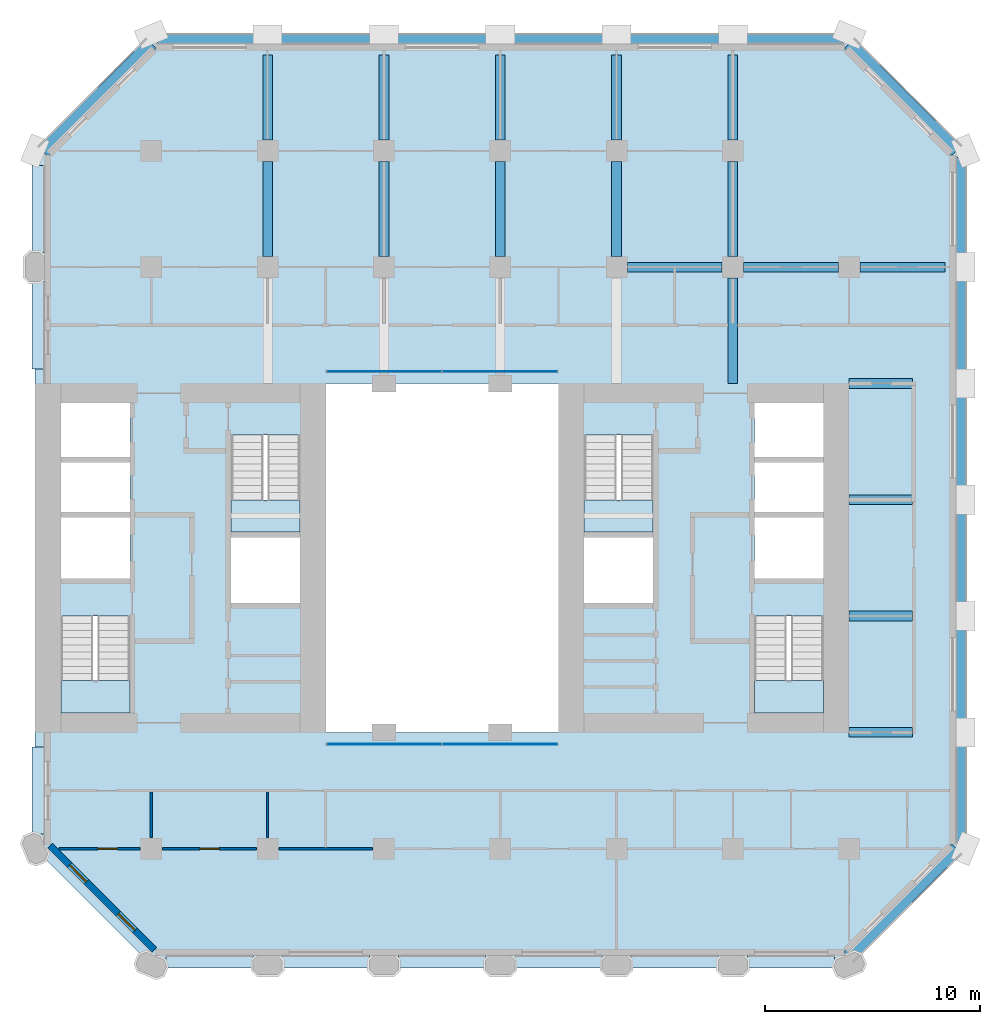
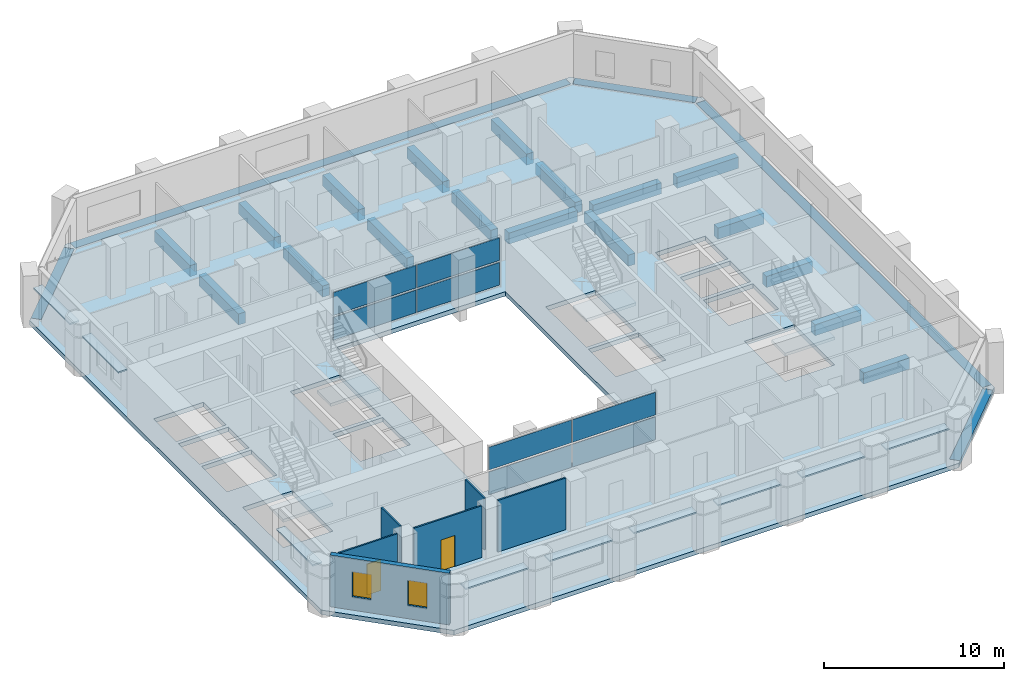
# One storey, part 3 of 11: 23 beams, 17 plates, 6 walls, 5 slabs, 2 doors, 2 windows, 4 openings, 6 elements without a shape of their own.
"""IFC4 building model written with IfcOpenShell, lengths in metres."""

import ifcopenshell
import ifcopenshell.guid

model = None  # the IFC model being written
_history = None  # IfcOwnerHistory: only IFC2X3 demands one
_inside = {}  # id of a spatial element -> (the spatial element, [elements in it])
_under = {}  # id of a project, library or spatial element -> (it, [spatial elements below it])
_declared = {}  # id of a project -> (the project, [libraries it declares])
_typed = {}  # id of a type object -> (the type object, [elements of that type])
_made_of = {}  # id of a material, layer set ... -> (it, [elements and type objects made of it])


def new_model(schema):
    """Start an empty IFC model of exactly this schema.

    Asked for "IFC4X3", IfcOpenShell would pick the latest addendum, in which some entities
    have other attributes; the version numbers below select the first issue.
    IFC2X3 requires an IfcOwnerHistory on every rooted entity: one is made here for all.
    """
    global model, _history
    if schema == "IFC4X3":
        model = ifcopenshell.file(schema_version=(4, 3, 0, 0))
    else:
        model = ifcopenshell.file(schema=schema)
    _inside.clear()
    _under.clear()
    _declared.clear()
    _typed.clear()
    _made_of.clear()
    _history = None
    if model.schema == "IFC2X3":
        org = make("IfcOrganization", Name="unknown")
        user = make(
            "IfcPersonAndOrganization",
            ThePerson=make("IfcPerson", FamilyName="unknown"),
            TheOrganization=org,
        )
        app = make(
            "IfcApplication",
            ApplicationDeveloper=org,
            Version="unknown",
            ApplicationFullName="unknown",
            ApplicationIdentifier="unknown",
        )
        _history = make(
            "IfcOwnerHistory",
            OwningUser=user,
            OwningApplication=app,
            ChangeAction="ADDED",
            CreationDate=0,
        )
    return model


def make(cls, **values):
    """One entity of the class cls with the attributes given. An attribute that is None is left unset."""
    return model.create_entity(
        cls, **{name: value for name, value in values.items() if value is not None}
    )


def rooted(cls, **values):
    """An entity with a GlobalId (a new one), such as an element, a storey or a relation."""
    return make(cls, GlobalId=ifcopenshell.guid.new(), OwnerHistory=_history, **values)


def si_unit(unit_type, name, prefix=None):
    """IfcSIUnit, for example si_unit("LENGTHUNIT", "METRE", prefix="MILLI")."""
    return make("IfcSIUnit", UnitType=unit_type, Prefix=prefix, Name=name)


def assignment(units):
    """IfcUnitAssignment: the units of a project."""
    return None if units is None else make("IfcUnitAssignment", Units=units)


def point(xyz):
    """IfcCartesianPoint."""
    return None if xyz is None else make("IfcCartesianPoint", Coordinates=xyz)


def direction(xyz):
    """IfcDirection."""
    return None if xyz is None else make("IfcDirection", DirectionRatios=xyz)


def frame(location, z_axis=None, x_axis=None):
    """IfcAxis2Placement3D, a coordinate frame: its origin and axes. An axis left out is left unset."""
    return make(
        "IfcAxis2Placement3D",
        Location=point(location),
        Axis=direction(z_axis),
        RefDirection=direction(x_axis),
    )


def frame_2d(location, x_axis=None):
    """IfcAxis2Placement2D, a coordinate frame in the plane: its origin and x axis."""
    return make(
        "IfcAxis2Placement2D", Location=point(location), RefDirection=direction(x_axis)
    )


def origin():
    """The frame at (0, 0, 0) with its axes left unset."""
    return frame((0.0, 0.0, 0.0))


def origin_2d():
    """The frame at (0, 0) in the plane with its x axis left unset."""
    return frame_2d((0.0, 0.0))


def place(relative_to, where):
    """IfcLocalPlacement: puts the frame where relative to a parent placement (None: the world)."""
    return make(
        "IfcLocalPlacement", PlacementRelTo=relative_to, RelativePlacement=where
    )


def context(
    kind, dimensions, precision=None, world=None, true_north=None, identifier=None
):
    """IfcGeometricRepresentationContext, for example the 3D "Model" context."""
    return make(
        "IfcGeometricRepresentationContext",
        ContextIdentifier=identifier,
        ContextType=kind,
        CoordinateSpaceDimension=dimensions,
        Precision=precision,
        WorldCoordinateSystem=world,
        TrueNorth=true_north,
    )


def subcontext(parent, identifier, kind, view, scale=None):
    """IfcGeometricRepresentationSubContext, for example "Body" below "Model"."""
    return make(
        "IfcGeometricRepresentationSubContext",
        ContextIdentifier=identifier,
        ContextType=kind,
        ParentContext=parent,
        TargetScale=scale,
        TargetView=view,
    )


def project(units=None, contexts=None):
    """IfcProject with its units and contexts."""
    return rooted(
        "IfcProject",
        Name="project",
        RepresentationContexts=contexts,
        UnitsInContext=assignment(units),
    )


def spatial(cls, under=None, at=None, **own):
    """A site, building, storey or space (cls), placed at a placement, below another one or the project."""
    s = rooted(cls, ObjectPlacement=at, **own)
    if under is not None:
        _under.setdefault(under.id(), (under, []))[1].append(s)
    return s


def polyline(points):
    """IfcPolyline through the points."""
    return make("IfcPolyline", Points=[point(p) for p in points])


def profile(cls, at=None, kind="AREA", **sizes):
    """A parametric profile (cls). Its sizes go by their IFC names, for example OverallWidth=200.0."""
    return make(cls, ProfileType=kind, Position=at, **sizes)


def rectangle(**sizes):
    """IfcRectangleProfileDef."""
    return profile("IfcRectangleProfileDef", **sizes)


def outline(outer, holes=None, kind="AREA"):
    """IfcArbitraryClosedProfileDef: a profile drawn as a closed curve; with holes, ...WithVoids."""
    if holes is None:
        return make("IfcArbitraryClosedProfileDef", ProfileType=kind, OuterCurve=outer)
    return make(
        "IfcArbitraryProfileDefWithVoids",
        ProfileType=kind,
        OuterCurve=outer,
        InnerCurves=holes,
    )


def extrude(swept, where, along, depth):
    """IfcExtrudedAreaSolid: the profile swept, set in the frame where, extruded along a direction by depth."""
    return make(
        "IfcExtrudedAreaSolid",
        SweptArea=swept,
        Position=where,
        ExtrudedDirection=direction(along),
        Depth=depth,
    )


def shape(context_of_items, identifier, shape_type, items):
    """IfcShapeRepresentation: the items that make up one representation, for example the "Body"."""
    return make(
        "IfcShapeRepresentation",
        ContextOfItems=context_of_items,
        RepresentationIdentifier=identifier,
        RepresentationType=shape_type,
        Items=items,
    )


def material(Name=None, Category=None):
    """IfcMaterial."""
    return make("IfcMaterial", Name=Name, Category=Category)


def layer(
    of_material, thickness, ventilated=None, Name=None, Category=None, Priority=None
):
    """IfcMaterialLayer: one layer of a wall or slab, of a material (None: an air gap)."""
    return make(
        "IfcMaterialLayer",
        Material=of_material,
        LayerThickness=thickness,
        IsVentilated=ventilated,
        Name=Name,
        Category=Category,
        Priority=Priority,
    )


def layer_set(layers, Name=None):
    """IfcMaterialLayerSet."""
    return make("IfcMaterialLayerSet", MaterialLayers=layers, LayerSetName=Name)


def material_profile(
    of_material, cross_section, Name=None, Category=None, Priority=None
):
    """IfcMaterialProfile: a cross section and its material."""
    return make(
        "IfcMaterialProfile",
        Name=Name,
        Material=of_material,
        Profile=cross_section,
        Priority=Priority,
        Category=Category,
    )


def profile_set(profiles, Name=None, composite=None):
    """IfcMaterialProfileSet."""
    return make(
        "IfcMaterialProfileSet",
        Name=Name,
        MaterialProfiles=profiles,
        CompositeProfile=composite,
    )


def made_of(thing, what):
    """Note that an element or type object is made of a material, layer set ...; save() writes the relation."""
    if what is not None:
        _made_of.setdefault(what.id(), (what, []))[1].append(thing)
    return thing


def type_object(cls, material=None, **own):
    """A type object (cls), such as IfcWallType, which elements share."""
    return made_of(rooted(cls, **own), material)


def element(
    cls,
    number,
    at=None,
    inside=None,
    cuts=None,
    type_object=None,
    material=None,
    context=None,
    identifier="Body",
    shape_type=None,
    held_by="IfcProductDefinitionShape",
    body=None,
    shapes=None,
    **own,
):
    """One element of the class cls, such as IfcWall. Its Tag is "e" and its number.

    at: its placement. inside: the storey or other place that contains it. cuts: it is an
    opening in that element (IfcRelVoidsElement). A single representation is given by context,
    identifier, shape_type and body (its items); several are given by shapes. held_by: the class
    of the entity that holds the representations. save() writes the other relations.
    """
    e = rooted(cls, Tag="e%d" % number, ObjectPlacement=at, **own)
    if body is not None:
        shapes = [shape(context, identifier, shape_type, body)]
    if shapes is not None:
        e.Representation = make(held_by, Representations=shapes)
    if inside is not None:
        _inside.setdefault(inside.id(), (inside, []))[1].append(e)
    if cuts is not None:
        rooted(
            "IfcRelVoidsElement", RelatingBuildingElement=cuts, RelatedOpeningElement=e
        )
    if type_object is not None:
        _typed.setdefault(type_object.id(), (type_object, []))[1].append(e)
    return made_of(e, material)


def fill(opening, filler):
    """IfcRelFillsElement: the door or window that sits in an opening."""
    return rooted(
        "IfcRelFillsElement",
        RelatingOpeningElement=opening,
        RelatedBuildingElement=filler,
    )


def aggregate(whole, parts):
    """IfcRelAggregates: a whole, such as a stair, and the parts it consists of."""
    return rooted("IfcRelAggregates", RelatingObject=whole, RelatedObjects=parts)


def save(model, path):
    """Write the relations noted so far, then the file.

    IfcRelAggregates (storeys below a building ...), IfcRelContainedInSpatialStructure (elements
    in a storey), IfcRelDefinesByType, IfcRelAssociatesMaterial and IfcRelDeclares: one each for
    every whole, place, type object, material and project.
    """
    for whole, parts in _under.values():
        aggregate(whole, parts)
    for where, things in _inside.values():
        rooted(
            "IfcRelContainedInSpatialStructure",
            RelatedElements=things,
            RelatingStructure=where,
        )
    for kind, things in _typed.values():
        rooted("IfcRelDefinesByType", RelatedObjects=things, RelatingType=kind)
    for what, things in _made_of.values():
        rooted("IfcRelAssociatesMaterial", RelatedObjects=things, RelatingMaterial=what)
    for by, libraries in _declared.values():
        rooted("IfcRelDeclares", RelatingContext=by, RelatedDefinitions=libraries)
    model.write(path)


model = new_model("IFC4")

# Units and contexts
model_context = context("Model", 3, precision=1e-05, world=origin(), true_north=direction((0.0, 1.0)))
body_context = subcontext(model_context, "Body", "Model", "MODEL_VIEW")
ifc_project = project(units=[si_unit("LENGTHUNIT", "METRE"), si_unit("AREAUNIT", "SQUARE_METRE"), si_unit("VOLUMEUNIT", "CUBIC_METRE"), si_unit("PLANEANGLEUNIT", "RADIAN"), si_unit("MASSUNIT", "GRAM", prefix="KILO")], contexts=[model_context])

# Site, building, storey
site_placement = place(None, origin())
site = spatial("IfcSite", under=ifc_project, at=site_placement, CompositionType="ELEMENT")
building_placement = place(site_placement, origin())
building = spatial("IfcBuilding", under=site, at=building_placement, Name="Tabaq Tower and Sports Hall", CompositionType="ELEMENT")
storey_placement = place(building_placement, frame((0.0, 0.0, 76.39990234375)))
storey = spatial("IfcBuildingStorey", under=building, at=storey_placement, Name="L17", CompositionType="ELEMENT", Elevation=76.39990234375)

# Beams
ifc_material_1 = material(Name="Concrete C40/50", Category="concrete")
ifc_material_profile_1 = material_profile(ifc_material_1, rectangle(XDim=0.449951171875, YDim=0.75, at=origin_2d()), Name="CB 450x750")
ifc_profile_set_1 = profile_set([ifc_material_profile_1], Name="Concrete C40/50")
beam_type_1 = type_object("IfcBeamType", Name="PT CANTILEVER BEAM CB 450x750 C40/50", PredefinedType="BEAM", material=ifc_profile_set_1)
for number, where, z_axis, x_axis, name in (
    (1, (46.14990234375, 16.199951171875, -0.6748046875), (-1.0, 0.0, 0.0), (0.0, -1.0, 0.0), "Cantilever Beam L17 E3 span 1"),
    (2, (46.14990234375, 21.60009765625, -0.6748046875), (-1.0, 0.0, 0.0), (0.0, -1.0, 0.0), "Cantilever Beam L17 E4 span 1"),
    (3, (46.14990234375, 27.0, -0.6748046875), (-1.0, 0.0, 0.0), (0.0, -1.0, 0.0), "Cantilever Beam L17 E5 span 1"),
    (4, (46.14990234375, 32.39990234375, -0.6748046875), (-1.0, 0.0, 0.0), (0.0, -1.0, 0.0), "Cantilever Beam L17 E6 span 1"),
):
    element("IfcBeam", number, at=place(storey_placement, frame(where, z_axis=z_axis, x_axis=x_axis)), inside=storey, type_object=beam_type_1, Name=name, PredefinedType="BEAM", context=body_context, shape_type="SweptSolid", body=[
        extrude(rectangle(XDim=0.449951171875, YDim=0.75, at=origin_2d()), origin(), (0.0, 0.0, 1.0), 2.949951171875),
    ])
beam_1_placement = place(storey_placement, frame((47.64990234375, 37.800048828125, -0.6748046875), z_axis=(-1.0, 0.0, 0.0), x_axis=(0.0, -1.0, 0.0)))
element("IfcBeam", 5, at=beam_1_placement, inside=storey, type_object=beam_type_1, Name="Cantilever Beam L17 E7 span 1", PredefinedType="BEAM", context=body_context, shape_type="SweptSolid", body=[
    extrude(rectangle(XDim=0.449951171875, YDim=0.75, at=origin_2d()), origin(), (0.0, 0.0, 1.0), 3.949951171875),
])
beam_2_placement = place(storey_placement, frame((42.699951171875, 37.800048828125, -0.6748046875), z_axis=(-1.0, 0.0, 0.0), x_axis=(0.0, -1.0, 0.0)))
element("IfcBeam", 6, at=beam_2_placement, inside=storey, type_object=beam_type_1, Name="Cantilever Beam L17 E7 span 2", PredefinedType="BEAM", context=body_context, shape_type="SweptSolid", body=[
    extrude(rectangle(XDim=0.449951171875, YDim=0.75, at=origin_2d()), origin(), (0.0, 0.0, 1.0), 4.39990234375),
])
beam_3_placement = place(storey_placement, frame((37.300048828125, 37.800048828125, -0.6748046875), z_axis=(-1.0, 0.0, 0.0), x_axis=(0.0, -1.0, 0.0)))
element("IfcBeam", 7, at=beam_3_placement, inside=storey, type_object=beam_type_1, Name="Cantilever Beam L17 E7 span 3", PredefinedType="BEAM", context=body_context, shape_type="SweptSolid", body=[
    extrude(rectangle(XDim=0.449951171875, YDim=0.75, at=origin_2d()), origin(), (0.0, 0.0, 1.0), 4.400146484375),
])
beam_4_placement = place(storey_placement, frame((16.199951171875, 47.64990234375, -0.6748046875), z_axis=(0.0, -1.0, 0.0), x_axis=(1.0, 0.0, 0.0)))
element("IfcBeam", 8, at=beam_4_placement, inside=storey, type_object=beam_type_1, Name="Cantilever Beam L17 N3 span 1", PredefinedType="BEAM", context=body_context, shape_type="SweptSolid", body=[
    extrude(rectangle(XDim=0.449951171875, YDim=0.75, at=origin_2d()), origin(), (0.0, 0.0, 1.0), 3.949951171875),
])
beam_5_placement = place(storey_placement, frame((16.199951171875, 42.699951171875, -0.6748046875), z_axis=(0.0, -1.0, 0.0), x_axis=(1.0, 0.0, 0.0)))
element("IfcBeam", 9, at=beam_5_placement, inside=storey, type_object=beam_type_1, Name="Cantilever Beam L17 N3 span 2", PredefinedType="BEAM", context=body_context, shape_type="SweptSolid", body=[
    extrude(rectangle(XDim=0.449951171875, YDim=0.75, at=origin_2d()), origin(), (0.0, 0.0, 1.0), 4.39990234375),
])
beam_6_placement = place(storey_placement, frame((21.60009765625, 47.64990234375, -0.6748046875), z_axis=(0.0, -1.0, 0.0), x_axis=(1.0, 0.0, 0.0)))
element("IfcBeam", 10, at=beam_6_placement, inside=storey, type_object=beam_type_1, Name="Cantilever Beam L17 N4 span 1", PredefinedType="BEAM", context=body_context, shape_type="SweptSolid", body=[
    extrude(rectangle(XDim=0.449951171875, YDim=0.75, at=origin_2d()), origin(), (0.0, 0.0, 1.0), 3.949951171875),
])
beam_7_placement = place(storey_placement, frame((21.60009765625, 42.699951171875, -0.6748046875), z_axis=(0.0, -1.0, 0.0), x_axis=(1.0, 0.0, 0.0)))
element("IfcBeam", 11, at=beam_7_placement, inside=storey, type_object=beam_type_1, Name="Cantilever Beam L17 N4 span 2", PredefinedType="BEAM", context=body_context, shape_type="SweptSolid", body=[
    extrude(rectangle(XDim=0.449951171875, YDim=0.75, at=origin_2d()), origin(), (0.0, 0.0, 1.0), 4.39990234375),
])
beam_8_placement = place(storey_placement, frame((27.0, 47.64990234375, -0.6748046875), z_axis=(0.0, -1.0, 0.0), x_axis=(1.0, 0.0, 0.0)))
element("IfcBeam", 12, at=beam_8_placement, inside=storey, type_object=beam_type_1, Name="Cantilever Beam L17 N5 span 1", PredefinedType="BEAM", context=body_context, shape_type="SweptSolid", body=[
    extrude(rectangle(XDim=0.449951171875, YDim=0.75, at=origin_2d()), origin(), (0.0, 0.0, 1.0), 3.949951171875),
])
beam_9_placement = place(storey_placement, frame((27.0, 42.699951171875, -0.6748046875), z_axis=(0.0, -1.0, 0.0), x_axis=(1.0, 0.0, 0.0)))
element("IfcBeam", 13, at=beam_9_placement, inside=storey, type_object=beam_type_1, Name="Cantilever Beam L17 N5 span 2", PredefinedType="BEAM", context=body_context, shape_type="SweptSolid", body=[
    extrude(rectangle(XDim=0.449951171875, YDim=0.75, at=origin_2d()), origin(), (0.0, 0.0, 1.0), 4.39990234375),
])
beam_10_placement = place(storey_placement, frame((32.39990234375, 47.64990234375, -0.6748046875), z_axis=(0.0, -1.0, 0.0), x_axis=(1.0, 0.0, 0.0)))
element("IfcBeam", 14, at=beam_10_placement, inside=storey, type_object=beam_type_1, Name="Cantilever Beam L17 N6 span 1", PredefinedType="BEAM", context=body_context, shape_type="SweptSolid", body=[
    extrude(rectangle(XDim=0.449951171875, YDim=0.75, at=origin_2d()), origin(), (0.0, 0.0, 1.0), 3.949951171875),
])
beam_11_placement = place(storey_placement, frame((32.39990234375, 42.699951171875, -0.6748046875), z_axis=(0.0, -1.0, 0.0), x_axis=(1.0, 0.0, 0.0)))
element("IfcBeam", 15, at=beam_11_placement, inside=storey, type_object=beam_type_1, Name="Cantilever Beam L17 N6 span 2", PredefinedType="BEAM", context=body_context, shape_type="SweptSolid", body=[
    extrude(rectangle(XDim=0.449951171875, YDim=0.75, at=origin_2d()), origin(), (0.0, 0.0, 1.0), 4.39990234375),
])
beam_12_placement = place(storey_placement, frame((37.800048828125, 47.64990234375, -0.6748046875), z_axis=(0.0, -1.0, 0.0), x_axis=(1.0, 0.0, 0.0)))
element("IfcBeam", 16, at=beam_12_placement, inside=storey, type_object=beam_type_1, Name="Cantilever Beam L17 N7 span 1", PredefinedType="BEAM", context=body_context, shape_type="SweptSolid", body=[
    extrude(rectangle(XDim=0.449951171875, YDim=0.75, at=origin_2d()), origin(), (0.0, 0.0, 1.0), 3.949951171875),
])
beam_13_placement = place(storey_placement, frame((37.800048828125, 42.699951171875, -0.6748046875), z_axis=(0.0, -1.0, 0.0), x_axis=(1.0, 0.0, 0.0)))
element("IfcBeam", 17, at=beam_13_placement, inside=storey, type_object=beam_type_1, Name="Cantilever Beam L17 N7 span 2", PredefinedType="BEAM", context=body_context, shape_type="SweptSolid", body=[
    extrude(rectangle(XDim=0.449951171875, YDim=0.75, at=origin_2d()), origin(), (0.0, 0.0, 1.0), 4.39990234375),
])
beam_14_placement = place(storey_placement, frame((37.800048828125, 37.300048828125, -0.6748046875), z_axis=(0.0, -1.0, 0.0), x_axis=(1.0, 0.0, 0.0)))
element("IfcBeam", 18, at=beam_14_placement, inside=storey, type_object=beam_type_1, Name="Cantilever Beam L17 N7 span 3", PredefinedType="BEAM", context=body_context, shape_type="SweptSolid", body=[
    extrude(rectangle(XDim=0.449951171875, YDim=0.75, at=origin_2d()), origin(), (0.0, 0.0, 1.0), 4.900146484375),
])
ifc_material_2 = material(Name="Concrete C40/50", Category="concrete")
ifc_material_profile_2 = material_profile(ifc_material_2, rectangle(XDim=0.60009765625, YDim=0.300048828125, at=origin_2d()), Name="EB 600x300")
ifc_profile_set_2 = profile_set([ifc_material_profile_2], Name="Concrete C40/50")
beam_type_2 = type_object("IfcBeamType", Name="PT EDGE BEAM EB 600x300 C40/50", PredefinedType="SPANDREL", material=ifc_profile_set_2)
beam_15_placement = place(storey_placement, frame((43.16455078125, 5.788818359375, -0.14990234375), z_axis=(0.707106781187, 0.707106781187, 0.0), x_axis=(-0.707106781187, 0.707106781187, 0.0)))
element("IfcBeam", 19, at=beam_15_placement, inside=storey, type_object=beam_type_2, Name="Edge Beam L17 1", PredefinedType="SPANDREL", context=body_context, shape_type="SweptSolid", body=[
    extrude(rectangle(XDim=0.60009765625, YDim=0.300048828125, at=origin_2d()), origin(), (0.0, 0.0, 1.0), 7.08837890625),
])
beam_16_placement = place(storey_placement, frame((48.300048828125, 11.0986328125, -0.14990234375), z_axis=(0.0, 1.0, 0.0), x_axis=(-1.0, 0.0, 0.0)))
element("IfcBeam", 20, at=beam_16_placement, inside=storey, type_object=beam_type_2, Name="Edge Beam L17 2", PredefinedType="SPANDREL", context=body_context, shape_type="SweptSolid", body=[
    extrude(rectangle(XDim=0.60009765625, YDim=0.300048828125, at=origin_2d()), origin(), (0.0, 0.0, 1.0), 31.802734375),
])
beam_17_placement = place(storey_placement, frame((48.1767578125, 43.198974609375, -0.14990234375), z_axis=(-0.707106781187, 0.707106781187, 0.0), x_axis=(-0.707106781187, -0.707106781187, 0.0)))
element("IfcBeam", 21, at=beam_17_placement, inside=storey, type_object=beam_type_2, Name="Edge Beam L17 3", PredefinedType="SPANDREL", context=body_context, shape_type="SweptSolid", body=[
    extrude(rectangle(XDim=0.60009765625, YDim=0.300048828125, at=origin_2d()), origin(), (0.0, 0.0, 1.0), 7.03955078125),
])
beam_18_placement = place(storey_placement, frame((42.9013671875, 48.300048828125, -0.14990234375), z_axis=(-1.0, 0.0, 0.0), x_axis=(0.0, -1.0, 0.0)))
element("IfcBeam", 22, at=beam_18_placement, inside=storey, type_object=beam_type_2, Name="Edge Beam L17 4", PredefinedType="SPANDREL", context=body_context, shape_type="SweptSolid", body=[
    extrude(rectangle(XDim=0.60009765625, YDim=0.300048828125, at=origin_2d()), origin(), (0.0, 0.0, 1.0), 31.802734375),
])
beam_19_placement = place(storey_placement, frame((10.801025390625, 48.1767578125, -0.14990234375), z_axis=(-0.707106781187, -0.707106781187, 0.0), x_axis=(0.707106781187, -0.707106781187, 0.0)))
element("IfcBeam", 23, at=beam_19_placement, inside=storey, type_object=beam_type_2, Name="Edge Beam L17 5", PredefinedType="SPANDREL", context=body_context, shape_type="SweptSolid", body=[
    extrude(rectangle(XDim=0.60009765625, YDim=0.300048828125, at=origin_2d()), origin(), (0.0, 0.0, 1.0), 7.08837890625),
])

# Curtain wall, plates
ifc_material_3 = material(Name="Aluminium alloy 6063-T6 framed glazing", Category="aluminium")
curtain_wall_type = type_object("IfcCurtainWallType", Name="CW1 curtain wall", PredefinedType="USERDEFINED", material=ifc_material_3)
curtain_wall_1_placement = place(storey_placement, origin())
curtain_wall_1 = element("IfcCurtainWall", 24, at=curtain_wall_1_placement, inside=storey, type_object=curtain_wall_type, Name="Atrium glazing L17 S", ObjectType="ATRIUM ENCLOSURE", PredefinedType="USERDEFINED")
ifc_material_4 = material(Name="Clear low-emissivity glass 28 mm", Category="glass")
ifc_layer_1 = layer(ifc_material_4, 0.028076171875)
ifc_layer_set_1 = layer_set([ifc_layer_1], Name="CW1 glass panel 28")
plate_type_1 = type_object("IfcPlateType", Name="CW1 glass panel 28", PredefinedType="CURTAIN_PANEL", material=ifc_layer_set_1)
plate_1_placement = place(storey_placement, frame((21.614990234375, 15.64990234375, 0.14013671875), z_axis=(0.0, 0.0, 1.0), x_axis=(1.0, 0.0, 0.0)))
plate_1 = element("IfcPlate", 25, at=plate_1_placement, type_object=plate_type_1, Name="CW1 panel 1.1", PredefinedType="CURTAIN_PANEL", context=body_context, shape_type="SweptSolid", body=[
    extrude(rectangle(XDim=5.31005859375, YDim=0.028076171875, at=origin_2d()), origin(), (0.0, 0.0, 1.0), 1.5400390625),
])
plate_2_placement = place(storey_placement, frame((21.614990234375, 15.64990234375, 1.820068359375), z_axis=(0.0, 0.0, 1.0), x_axis=(1.0, 0.0, 0.0)))
plate_2 = element("IfcPlate", 26, at=plate_2_placement, type_object=plate_type_1, Name="CW1 panel 1.2", PredefinedType="CURTAIN_PANEL", context=body_context, shape_type="SweptSolid", body=[
    extrude(rectangle(XDim=5.31005859375, YDim=0.028076171875, at=origin_2d()), origin(), (0.0, 0.0, 1.0), 1.5400390625),
])
plate_3_placement = place(storey_placement, frame((26.985107421875, 15.64990234375, 0.14013671875), z_axis=(0.0, 0.0, 1.0), x_axis=(1.0, 0.0, 0.0)))
plate_3 = element("IfcPlate", 27, at=plate_3_placement, type_object=plate_type_1, Name="CW1 panel 2.1", PredefinedType="CURTAIN_PANEL", context=body_context, shape_type="SweptSolid", body=[
    extrude(rectangle(XDim=5.31005859375, YDim=0.028076171875, at=origin_2d()), origin(), (0.0, 0.0, 1.0), 1.5400390625),
])
plate_4_placement = place(storey_placement, frame((26.985107421875, 15.64990234375, 1.820068359375), z_axis=(0.0, 0.0, 1.0), x_axis=(1.0, 0.0, 0.0)))
plate_4 = element("IfcPlate", 28, at=plate_4_placement, type_object=plate_type_1, Name="CW1 panel 2.2", PredefinedType="CURTAIN_PANEL", context=body_context, shape_type="SweptSolid", body=[
    extrude(rectangle(XDim=5.31005859375, YDim=0.028076171875, at=origin_2d()), origin(), (0.0, 0.0, 1.0), 1.5400390625),
])
aggregate(curtain_wall_1, [plate_1, plate_2, plate_3, plate_4])

curtain_wall_2_placement = place(storey_placement, origin())
curtain_wall_2 = element("IfcCurtainWall", 29, at=curtain_wall_2_placement, inside=storey, type_object=curtain_wall_type, Name="Atrium glazing L17 N", ObjectType="ATRIUM ENCLOSURE", PredefinedType="USERDEFINED")
plate_5_placement = place(storey_placement, frame((21.614990234375, 32.949951171875, 0.14013671875), z_axis=(0.0, 0.0, 1.0), x_axis=(1.0, 0.0, 0.0)))
plate_5 = element("IfcPlate", 30, at=plate_5_placement, type_object=plate_type_1, Name="CW1 panel 1.1", PredefinedType="CURTAIN_PANEL", context=body_context, shape_type="SweptSolid", body=[
    extrude(rectangle(XDim=5.31005859375, YDim=0.028076171875, at=origin_2d()), origin(), (0.0, 0.0, 1.0), 1.5400390625),
])
plate_6_placement = place(storey_placement, frame((21.614990234375, 32.949951171875, 1.820068359375), z_axis=(0.0, 0.0, 1.0), x_axis=(1.0, 0.0, 0.0)))
plate_6 = element("IfcPlate", 31, at=plate_6_placement, type_object=plate_type_1, Name="CW1 panel 1.2", PredefinedType="CURTAIN_PANEL", context=body_context, shape_type="SweptSolid", body=[
    extrude(rectangle(XDim=5.31005859375, YDim=0.028076171875, at=origin_2d()), origin(), (0.0, 0.0, 1.0), 1.5400390625),
])
plate_7_placement = place(storey_placement, frame((26.985107421875, 32.949951171875, 0.14013671875), z_axis=(0.0, 0.0, 1.0), x_axis=(1.0, 0.0, 0.0)))
plate_7 = element("IfcPlate", 32, at=plate_7_placement, type_object=plate_type_1, Name="CW1 panel 2.1", PredefinedType="CURTAIN_PANEL", context=body_context, shape_type="SweptSolid", body=[
    extrude(rectangle(XDim=5.31005859375, YDim=0.028076171875, at=origin_2d()), origin(), (0.0, 0.0, 1.0), 1.5400390625),
])
plate_8_placement = place(storey_placement, frame((26.985107421875, 32.949951171875, 1.820068359375), z_axis=(0.0, 0.0, 1.0), x_axis=(1.0, 0.0, 0.0)))
plate_8 = element("IfcPlate", 33, at=plate_8_placement, type_object=plate_type_1, Name="CW1 panel 2.2", PredefinedType="CURTAIN_PANEL", context=body_context, shape_type="SweptSolid", body=[
    extrude(rectangle(XDim=5.31005859375, YDim=0.028076171875, at=origin_2d()), origin(), (0.0, 0.0, 1.0), 1.5400390625),
])
aggregate(curtain_wall_2, [plate_5, plate_6, plate_7, plate_8])

# Stair, slab
ifc_material_5 = material(Name="Concrete C40/50", Category="concrete")
stair_type = type_object("IfcStairType", Name="Exit stair", PredefinedType="HALF_TURN_STAIR", material=ifc_material_5)
stair_1_placement = place(storey_placement, origin())
stair_1 = element("IfcStair", 34, at=stair_1_placement, inside=storey, type_object=stair_type, Name="L17 Exit stair ST1", PredefinedType="HALF_TURN_STAIR")
ifc_material_6 = material(Name="Concrete C40/50", Category="concrete")
ifc_layer_2 = layer(ifc_material_6, 0.199951171875)
ifc_layer_set_2 = layer_set([ifc_layer_2], Name="Exit stair landing")
slab_type_1 = type_object("IfcSlabType", Name="Exit stair landing", PredefinedType="LANDING", material=ifc_layer_set_2)
slab_1_placement = place(storey_placement, frame((0.0, 0.0, 1.7001953125)))
slab_1 = element("IfcSlab", 35, at=slab_1_placement, type_object=slab_type_1, Name="ST1 landing 1", PredefinedType="LANDING", context=body_context, shape_type="SweptSolid", body=[
    extrude(outline(polyline([(6.60009765625, 18.60009765625), (6.60009765625, 17.10009765625), (9.800048828125, 17.10009765625), (9.800048828125, 18.60009765625), (6.60009765625, 18.60009765625)])), origin(), (0.0, 0.0, 1.0), 0.199951171875),
])
aggregate(stair_1, [slab_1])

stair_2_placement = place(storey_placement, origin())
stair_2 = element("IfcStair", 36, at=stair_2_placement, inside=storey, type_object=stair_type, Name="L17 Exit stair ST2", PredefinedType="HALF_TURN_STAIR")
slab_2_placement = place(storey_placement, frame((0.0, 0.0, 1.7001953125)))
slab_2 = element("IfcSlab", 37, at=slab_2_placement, type_object=slab_type_1, Name="ST2 landing 1", PredefinedType="LANDING", context=body_context, shape_type="SweptSolid", body=[
    extrude(outline(polyline([(14.5, 27.0), (14.5, 25.5), (17.699951171875, 25.5), (17.699951171875, 27.0), (14.5, 27.0)])), origin(), (0.0, 0.0, 1.0), 0.199951171875),
])
aggregate(stair_2, [slab_2])

stair_3_placement = place(storey_placement, origin())
stair_3 = element("IfcStair", 38, at=stair_3_placement, inside=storey, type_object=stair_type, Name="L17 Exit stair ST3", PredefinedType="HALF_TURN_STAIR")
slab_3_placement = place(storey_placement, frame((0.0, 0.0, 1.7001953125)))
slab_3 = element("IfcSlab", 39, at=slab_3_placement, type_object=slab_type_1, Name="ST3 landing 1", PredefinedType="LANDING", context=body_context, shape_type="SweptSolid", body=[
    extrude(outline(polyline([(38.800048828125, 18.60009765625), (38.800048828125, 17.10009765625), (42.0, 17.10009765625), (42.0, 18.60009765625), (38.800048828125, 18.60009765625)])), origin(), (0.0, 0.0, 1.0), 0.199951171875),
])
aggregate(stair_3, [slab_3])

stair_4_placement = place(storey_placement, origin())
stair_4 = element("IfcStair", 40, at=stair_4_placement, inside=storey, type_object=stair_type, Name="L17 Exit stair ST4", PredefinedType="HALF_TURN_STAIR")
slab_4_placement = place(storey_placement, frame((0.0, 0.0, 1.7001953125)))
slab_4 = element("IfcSlab", 41, at=slab_4_placement, type_object=slab_type_1, Name="ST4 landing 1", PredefinedType="LANDING", context=body_context, shape_type="SweptSolid", body=[
    extrude(outline(polyline([(30.89990234375, 27.0), (30.89990234375, 25.5), (34.10009765625, 25.5), (34.10009765625, 27.0), (30.89990234375, 27.0)])), origin(), (0.0, 0.0, 1.0), 0.199951171875),
])
aggregate(stair_4, [slab_4])

# Slab
ifc_material_7 = material(Name="Concrete C40/50", Category="concrete")
ifc_layer_3 = layer(ifc_material_7, 0.300048828125)
ifc_layer_set_3 = layer_set([ifc_layer_3], Name="PT FLOOR SLAB 300 C40/50")
slab_type_2 = type_object("IfcSlabType", Name="PT FLOOR SLAB 300 C40/50", PredefinedType="FLOOR", material=ifc_layer_set_3)
slab_5_placement = place(storey_placement, frame((0.0, 0.0, -0.2998046875)))
element("IfcSlab", 42, at=slab_5_placement, inside=storey, type_object=slab_type_2, Name="Floor Slab L17", PredefinedType="FLOOR", context=body_context, shape_type="SweptSolid", body=[
    extrude(outline(polyline([(5.39990234375, 43.199951171875), (5.39990234375, 10.800048828125), (10.800048828125, 5.39990234375), (43.199951171875, 5.39990234375), (43.376708984375, 5.57666015625), (42.952392578125, 6.0009765625), (47.964599609375, 11.01318359375), (48.035400390625, 10.9423828125), (48.388916015625, 10.5888671875), (48.60009765625, 10.800048828125), (48.60009765625, 11.0986328125), (48.10009765625, 11.0986328125), (48.0, 11.0986328125), (48.0, 42.9013671875), (48.10009765625, 42.9013671875), (48.60009765625, 42.9013671875), (48.60009765625, 43.199951171875), (48.388916015625, 43.4111328125), (48.035400390625, 43.0576171875), (47.964599609375, 42.98681640625), (42.98681640625, 47.964599609375), (43.0576171875, 48.035400390625), (43.4111328125, 48.388916015625), (43.199951171875, 48.60009765625), (42.9013671875, 48.60009765625), (42.9013671875, 48.10009765625), (42.9013671875, 48.0), (11.0986328125, 48.0), (11.0986328125, 48.10009765625), (11.0986328125, 48.60009765625), (10.800048828125, 48.60009765625), (10.5888671875, 48.388916015625), (10.9423828125, 48.035400390625), (11.01318359375, 47.964599609375), (6.0009765625, 42.952392578125), (5.57666015625, 43.376708984375), (5.39990234375, 43.199951171875)]), holes=[polyline([(6.60009765625, 21.599365234375), (9.800048828125, 21.599365234375), (9.800048828125, 17.10009765625), (6.60009765625, 17.10009765625), (6.60009765625, 21.599365234375)]), polyline([(17.699951171875, 25.25), (17.699951171875, 22.199951171875), (14.5, 22.199951171875), (14.5, 25.25), (17.699951171875, 25.25)]), polyline([(18.89990234375, 32.39990234375), (29.699951171875, 32.39990234375), (29.699951171875, 16.199951171875), (18.89990234375, 16.199951171875), (18.89990234375, 32.39990234375)]), polyline([(6.60009765625, 26.175048828125), (9.800048828125, 26.175048828125), (9.800048828125, 23.35009765625), (6.60009765625, 23.35009765625), (6.60009765625, 26.175048828125)]), polyline([(9.800048828125, 28.72509765625), (9.800048828125, 26.425048828125), (6.60009765625, 26.425048828125), (6.60009765625, 28.72509765625), (9.800048828125, 28.72509765625)]), polyline([(17.699951171875, 29.99951171875), (17.699951171875, 25.5), (14.5, 25.5), (14.5, 29.99951171875), (17.699951171875, 29.99951171875)]), polyline([(6.60009765625, 31.5), (9.800048828125, 31.5), (9.800048828125, 28.97509765625), (6.60009765625, 28.97509765625), (6.60009765625, 31.5)]), polyline([(42.0, 21.599365234375), (42.0, 17.10009765625), (38.800048828125, 17.10009765625), (38.800048828125, 21.599365234375), (42.0, 21.599365234375)]), polyline([(34.10009765625, 25.25), (34.10009765625, 22.199951171875), (30.89990234375, 22.199951171875), (30.89990234375, 25.25), (34.10009765625, 25.25)]), polyline([(42.0, 26.175048828125), (42.0, 23.35009765625), (38.800048828125, 23.35009765625), (38.800048828125, 26.175048828125), (42.0, 26.175048828125)]), polyline([(42.0, 28.72509765625), (42.0, 26.425048828125), (38.800048828125, 26.425048828125), (38.800048828125, 28.72509765625), (42.0, 28.72509765625)]), polyline([(34.10009765625, 29.99951171875), (34.10009765625, 25.5), (30.89990234375, 25.5), (30.89990234375, 29.99951171875), (34.10009765625, 29.99951171875)]), polyline([(42.0, 31.5), (42.0, 28.97509765625), (38.800048828125, 28.97509765625), (38.800048828125, 31.5), (42.0, 31.5)])]), origin(), (0.0, 0.0, 1.0), 0.2998046875),
])

# Plates
ifc_material_8 = material(Name="White precast concrete C60/75 blade", Category="concrete")
ifc_layer_4 = layer(ifc_material_8, 0.10009765625)
ifc_layer_set_4 = layer_set([ifc_layer_4], Name="White precast concrete C60/75 sunshade 100")
plate_type_2 = type_object("IfcPlateType", Name="White precast concrete C60/75 sunshade 100", PredefinedType="USERDEFINED", material=ifc_layer_set_4)
for number, where, z_axis, x_axis, name in (
    (43, (13.5, 5.550048828125, 2.60009765625), (0.0, 0.0, 1.0), (1.0, 0.0, 0.0), "Sunshade L17 S"),
    (44, (18.89990234375, 5.550048828125, 2.60009765625), (0.0, 0.0, 1.0), (1.0, 0.0, 0.0), "Sunshade L17 S"),
    (45, (24.300048828125, 5.550048828125, 2.60009765625), (0.0, 0.0, 1.0), (1.0, 0.0, 0.0), "Sunshade L17 S"),
    (46, (29.699951171875, 5.550048828125, 2.60009765625), (0.0, 0.0, 1.0), (1.0, 0.0, 0.0), "Sunshade L17 S"),
    (47, (35.10009765625, 5.550048828125, 2.60009765625), (0.0, 0.0, 1.0), (1.0, 0.0, 0.0), "Sunshade L17 S"),
    (48, (40.5, 5.550048828125, 2.60009765625), (0.0, 0.0, 1.0), (1.0, 0.0, 0.0), "Sunshade L17 S"),
    (49, (5.550048828125, 40.5, 2.60009765625), (0.0, 0.0, 1.0), (0.0, -1.0, 0.0), "Sunshade L17 W"),
    (50, (5.550048828125, 35.10009765625, 2.60009765625), (0.0, 0.0, 1.0), (0.0, -1.0, 0.0), "Sunshade L17 W"),
    (51, (5.550048828125, 13.5, 2.60009765625), (0.0, 0.0, 1.0), (0.0, -1.0, 0.0), "Sunshade L17 W"),
):
    element("IfcPlate", number, at=place(storey_placement, frame(where, z_axis=z_axis, x_axis=x_axis)), inside=storey, type_object=plate_type_2, Name=name, ObjectType="SUNSHADE", PredefinedType="USERDEFINED", context=body_context, shape_type="SweptSolid", body=[
        extrude(rectangle(XDim=4.050048828125, YDim=0.60009765625, at=origin_2d()), origin(), (0.0, 0.0, 1.0), 0.10009765625),
    ])

# Wall, opening, door
ifc_material_9 = material(Name="Gypsum board on steel studs", Category="steel")
ifc_layer_5 = layer(ifc_material_9, 0.10009765625)
ifc_layer_set_5 = layer_set([ifc_layer_5], Name="Partition 100 Gypsum board")
wall_type_1 = type_object("IfcWallType", Name="Partition 100 Gypsum board", PredefinedType="PARTITIONING", material=ifc_layer_set_5)
wall_1_placement = place(storey_placement, frame((6.51220703125, 10.800048828125, 0.0), z_axis=(0.0, 0.0, 1.0), x_axis=(1.0, 0.0, 0.0)))
wall_1 = element("IfcWall", 52, at=wall_1_placement, inside=storey, type_object=wall_type_1, Name="Partition wall L17", PredefinedType="PARTITIONING", context=body_context, shape_type="SweptSolid", body=[
    extrude(rectangle(XDim=3.767822265625, YDim=0.10009765625, at=frame_2d((1.8837890625, 0.0))), origin(), (0.0, 0.0, 1.0), 3.5),
])
opening_1_placement = place(wall_1_placement, frame((1.81298828125, 0.0, 0.0)))
opening_1 = element("IfcOpeningElement", 53, at=opening_1_placement, cuts=wall_1, Name="Opening L17-032", PredefinedType="OPENING", context=body_context, shape_type="SweptSolid", body=[
    extrude(rectangle(XDim=0.89990234375, YDim=2.10009765625, at=frame_2d((0.449951171875, 1.050048828125))), frame((0.0, 0.050048828125, 0.0), z_axis=(0.0, -1.0, 0.0), x_axis=(1.0, 0.0, 0.0)), (0.0, 0.0, 1.0), 0.10009765625),
])
ifc_material_10 = material(Name="Timber leaf in steel frame", Category="steel")
door_type_1 = type_object("IfcDoorType", Name="Internal door 900 left hand", OperationType="SINGLE_SWING_LEFT", PredefinedType="DOOR", material=ifc_material_10)
door_1_placement = place(opening_1_placement, origin())
door_1 = element("IfcDoor", 54, at=door_1_placement, inside=storey, type_object=door_type_1, Name="Internal door L17-032", OperationType="SINGLE_SWING_LEFT", OverallHeight=2.10009765625, OverallWidth=0.89990234375, PredefinedType="DOOR", context=body_context, shape_type="SweptSolid", body=[
    extrude(rectangle(XDim=0.89990234375, YDim=2.10009765625, at=frame_2d((0.449951171875, 1.050048828125))), frame((0.0, 0.02490234375, 0.0), z_axis=(0.0, -1.0, 0.0), x_axis=(1.0, 0.0, 0.0)), (0.0, 0.0, 1.0), 0.050048828125),
])
fill(opening_1, door_1)

# Wall
wall_2_placement = place(storey_placement, frame((10.800048828125, 11.320068359375, 0.0), z_axis=(0.0, 0.0, 1.0), x_axis=(0.0, 1.0, 0.0)))
element("IfcWall", 55, at=wall_2_placement, inside=storey, type_object=wall_type_1, Name="Partition wall L17", PredefinedType="PARTITIONING", context=body_context, shape_type="SweptSolid", body=[
    extrude(rectangle(XDim=2.10498046875, YDim=0.10009765625, at=frame_2d((1.052490234375, 0.0))), origin(), (0.0, 0.0, 1.0), 3.5),
])

# Wall, opening, door
wall_3_placement = place(storey_placement, frame((11.320068359375, 10.800048828125, 0.0), z_axis=(0.0, 0.0, 1.0), x_axis=(1.0, 0.0, 0.0)))
wall_3 = element("IfcWall", 56, at=wall_3_placement, inside=storey, type_object=wall_type_1, Name="Partition wall L17", PredefinedType="PARTITIONING", context=body_context, shape_type="SweptSolid", body=[
    extrude(rectangle(XDim=4.35986328125, YDim=0.10009765625, at=frame_2d((2.179931640625, 0.0))), origin(), (0.0, 0.0, 1.0), 3.5),
])
opening_2_placement = place(wall_3_placement, frame((1.72998046875, 0.0, 0.0)))
opening_2 = element("IfcOpeningElement", 57, at=opening_2_placement, cuts=wall_3, Name="Opening L17-020", PredefinedType="OPENING", context=body_context, shape_type="SweptSolid", body=[
    extrude(rectangle(XDim=0.89990234375, YDim=2.10009765625, at=frame_2d((0.449951171875, 1.050048828125))), frame((0.0, 0.050048828125, 0.0), z_axis=(0.0, -1.0, 0.0), x_axis=(1.0, 0.0, 0.0)), (0.0, 0.0, 1.0), 0.10009765625),
])
ifc_material_11 = material(Name="Timber leaf in steel frame", Category="steel")
door_type_2 = type_object("IfcDoorType", Name="Internal door 900 right hand", OperationType="SINGLE_SWING_RIGHT", PredefinedType="DOOR", material=ifc_material_11)
door_2_placement = place(opening_2_placement, origin())
door_2 = element("IfcDoor", 58, at=door_2_placement, inside=storey, type_object=door_type_2, Name="Internal door L17-020", OperationType="SINGLE_SWING_RIGHT", OverallHeight=2.10009765625, OverallWidth=0.89990234375, PredefinedType="DOOR", context=body_context, shape_type="SweptSolid", body=[
    extrude(rectangle(XDim=0.89990234375, YDim=2.10009765625, at=frame_2d((0.449951171875, 1.050048828125))), frame((0.0, 0.02490234375, 0.0), z_axis=(0.0, -1.0, 0.0), x_axis=(1.0, 0.0, 0.0)), (0.0, 0.0, 1.0), 0.050048828125),
])
fill(opening_2, door_2)

# Walls
wall_4_placement = place(storey_placement, frame((16.199951171875, 11.320068359375, 0.0), z_axis=(0.0, 0.0, 1.0), x_axis=(0.0, 1.0, 0.0)))
element("IfcWall", 59, at=wall_4_placement, inside=storey, type_object=wall_type_1, Name="Partition wall L17", PredefinedType="PARTITIONING", context=body_context, shape_type="SweptSolid", body=[
    extrude(rectangle(XDim=2.10498046875, YDim=0.10009765625, at=frame_2d((1.052490234375, 0.0))), origin(), (0.0, 0.0, 1.0), 3.5),
])
wall_5_placement = place(storey_placement, frame((16.719970703125, 10.800048828125, 0.0), z_axis=(0.0, 0.0, 1.0), x_axis=(1.0, 0.0, 0.0)))
element("IfcWall", 60, at=wall_5_placement, inside=storey, type_object=wall_type_1, Name="Partition wall L17", PredefinedType="PARTITIONING", context=body_context, shape_type="SweptSolid", body=[
    extrude(rectangle(XDim=4.360107421875, YDim=0.10009765625, at=frame_2d((2.18017578125, 0.0))), origin(), (0.0, 0.0, 1.0), 3.5),
])

# Wall, openings, windows
ifc_material_12 = material(Name="White precast concrete C60/75", Category="concrete")
ifc_layer_6 = layer(ifc_material_12, 0.300048828125)
ifc_layer_set_6 = layer_set([ifc_layer_6], Name="White precast concrete C60/75 external wall 300")
wall_type_2 = type_object("IfcWallType", Name="White precast concrete C60/75 external wall 300", PredefinedType="SOLIDWALL", material=ifc_layer_set_6)
wall_6_placement = place(storey_placement, frame((6.098876953125, 10.949462890625, 0.0), z_axis=(0.0, 0.0, 1.0), x_axis=(0.707106781187, -0.707106781187, 0.0)))
wall_6 = element("IfcWall", 61, at=wall_6_placement, inside=storey, type_object=wall_type_2, Name="External Wall L17 SW", PredefinedType="SOLIDWALL", context=body_context, shape_type="SweptSolid", body=[
    extrude(rectangle(XDim=6.85986328125, YDim=0.300048828125, at=frame_2d((3.429931640625, 0.0))), origin(), (0.0, 0.0, 1.0), 3.5),
])
opening_3_placement = place(wall_6_placement, frame((1.27978515625, 0.0, 0.89990234375)))
opening_3 = element("IfcOpeningElement", 62, at=opening_3_placement, cuts=wall_6, Name="Opening W1B", PredefinedType="OPENING", context=body_context, shape_type="SweptSolid", body=[
    extrude(rectangle(XDim=1.10009765625, YDim=1.699951171875, at=frame_2d((0.550048828125, 0.85009765625))), frame((0.0, 0.16015625, 0.0), z_axis=(0.0, -1.0, 0.0), x_axis=(1.0, 0.0, 0.0)), (0.0, 0.0, 1.0), 0.320068359375),
])
opening_4_placement = place(wall_6_placement, frame((4.479736328125, 0.0, 0.89990234375)))
opening_4 = element("IfcOpeningElement", 63, at=opening_4_placement, cuts=wall_6, Name="Opening W1B", PredefinedType="OPENING", context=body_context, shape_type="SweptSolid", body=[
    extrude(rectangle(XDim=1.10009765625, YDim=1.699951171875, at=frame_2d((0.550048828125, 0.85009765625))), frame((0.0, 0.16015625, 0.0), z_axis=(0.0, -1.0, 0.0), x_axis=(1.0, 0.0, 0.0)), (0.0, 0.0, 1.0), 0.320068359375),
])
ifc_material_13 = material(Name="Aluminium framed clear glazing", Category="aluminium")
window_type = type_object("IfcWindowType", Name="Window W1B", PartitioningType="SINGLE_PANEL", PredefinedType="WINDOW", material=ifc_material_13)
window_1_placement = place(opening_3_placement, origin())
window_1 = element("IfcWindow", 64, at=window_1_placement, inside=storey, type_object=window_type, Name="Window W1B L17", OverallHeight=1.699951171875, OverallWidth=1.10009765625, PartitioningType="SINGLE_PANEL", PredefinedType="WINDOW", context=body_context, shape_type="SweptSolid", body=[
    extrude(rectangle(XDim=1.10009765625, YDim=1.699951171875, at=frame_2d((0.550048828125, 0.85009765625))), frame((0.0, 0.030029296875, 0.0), z_axis=(0.0, -1.0, 0.0), x_axis=(1.0, 0.0, 0.0)), (0.0, 0.0, 1.0), 0.06005859375),
])
fill(opening_3, window_1)
window_2_placement = place(opening_4_placement, origin())
window_2 = element("IfcWindow", 65, at=window_2_placement, inside=storey, type_object=window_type, Name="Window W1B L17", OverallHeight=1.699951171875, OverallWidth=1.10009765625, PartitioningType="SINGLE_PANEL", PredefinedType="WINDOW", context=body_context, shape_type="SweptSolid", body=[
    extrude(rectangle(XDim=1.10009765625, YDim=1.699951171875, at=frame_2d((0.550048828125, 0.85009765625))), frame((0.0, 0.030029296875, 0.0), z_axis=(0.0, -1.0, 0.0), x_axis=(1.0, 0.0, 0.0)), (0.0, 0.0, 1.0), 0.06005859375),
])
fill(opening_4, window_2)

save(model, "model.ifc")
